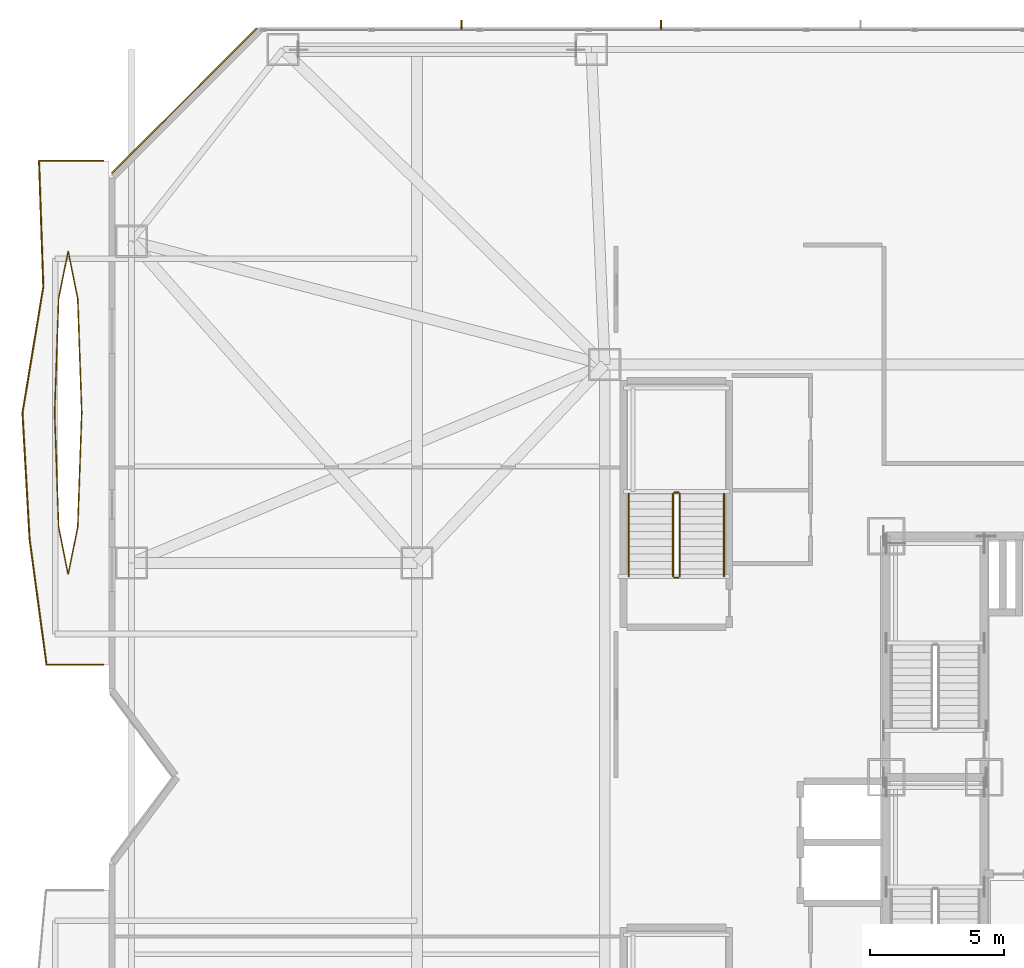
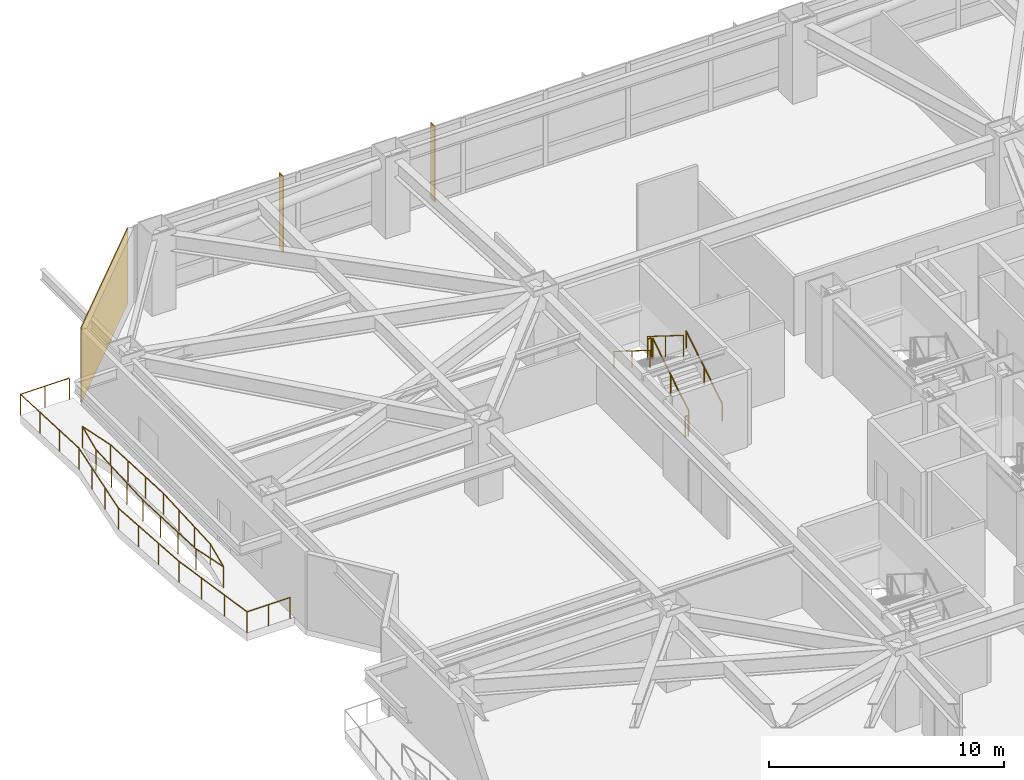
# One storey, part 30 of 32: 10 railings, 2 shading devices, 1 covering.
"""IFC4 building model written with IfcOpenShell, lengths in metres."""

from ifc_helpers import new_model, si_unit, direction, frame, origin, origin_2d, place, context, subcontext, project, spatial, rectangle, circle, extrude, material, layer, layer_set, type_object, element, save


model = new_model("IFC4")

# Units and contexts
model_context = context("Model", 3, precision=1e-05, world=origin(), true_north=direction((0.0, 1.0)))
body_context = subcontext(model_context, "Body", "Model", "MODEL_VIEW")
ifc_project = project(units=[si_unit("LENGTHUNIT", "METRE"), si_unit("AREAUNIT", "SQUARE_METRE"), si_unit("VOLUMEUNIT", "CUBIC_METRE"), si_unit("PLANEANGLEUNIT", "RADIAN"), si_unit("MASSUNIT", "GRAM", prefix="KILO")], contexts=[model_context])

# Site, building, storey
site_placement = place(None, origin())
site = spatial("IfcSite", under=ifc_project, at=site_placement, CompositionType="ELEMENT")
building_placement = place(site_placement, origin())
building = spatial("IfcBuilding", under=site, at=building_placement, Name="Khamvora Tower", CompositionType="ELEMENT")
storey_placement = place(building_placement, frame((0.0, 0.0, 12.0)))
storey = spatial("IfcBuildingStorey", under=building, at=storey_placement, Name="L02", CompositionType="ELEMENT", Elevation=12.0)

# Covering
ifc_material_1 = material(Name="Pale Anodised Aluminium Rainscreen Panel", Category="aluminium")
ifc_layer = layer(ifc_material_1, 0.044921875)
ifc_layer_set = layer_set([ifc_layer], Name="Pale Anodised Aluminium Rainscreen Panel")
covering_type = type_object("IfcCoveringType", Name="COV-CLD-ALU", PredefinedType="CLADDING", material=ifc_layer_set)
covering_placement = place(storey_placement, frame((2.81494140625, 53.239990234375, 0.0), z_axis=(0.0, 0.0, 1.0), x_axis=(0.707106781187, 0.707106781187, 0.0)))
element("IfcCovering", 1, at=covering_placement, inside=storey, type_object=covering_type, Name="L02 chamfer rainscreen cladding 06.1", PredefinedType="CLADDING", context=body_context, shape_type="SweptSolid", body=[
    extrude(rectangle(XDim=7.64306640625, YDim=0.044921875, at=origin_2d()), origin(), (0.0, 0.0, 1.0), 3.919921875),
])

# Railings
ifc_material_2 = material(Name="Stainless Steel 316 and Laminated Glass", Category="steel")
railing_type_1 = type_object("IfcRailingType", Name="RAL-GAL-1120", PredefinedType="GUARDRAIL", material=ifc_material_2)
railing_1_placement = place(storey_placement, frame((-0.199951171875, 32.199951171875, 0.0)))
element("IfcRailing", 2, at=railing_1_placement, inside=storey, type_object=railing_type_1, Name="L02 lens gallery south perimeter guardrail WL2", PredefinedType="GUARDRAIL", context=body_context, shape_type="SweptSolid", body=[
    extrude(circle(Radius=0.02392578125, at=origin_2d()), frame((0.0, 0.0, 1.09619140625), z_axis=(-1.0, 0.0, 0.0), x_axis=(0.0, -1.0, 0.0)), (0.0, 0.0, 1.0), 2.125),
    extrude(circle(Radius=0.02392578125, at=origin_2d()), frame((-2.125, 0.0, 1.09619140625), z_axis=(-0.133488830384, 0.991050317674, 0.0), x_axis=(-0.991050317674, -0.133488830384, 0.0)), (0.0, 0.0, 1.0), 4.742431640625),
    extrude(circle(Radius=0.02392578125, at=origin_2d()), frame((-2.758056640625, 4.699951171875, 1.09619140625), z_axis=(-0.055854908118, 0.998438896097, 0.0), x_axis=(-0.998438896097, -0.055854908118, 0.0)), (0.0, 0.0, 1.0), 4.70751953125),
    extrude(circle(Radius=0.02099609375, at=origin_2d()), origin(), (0.0, 0.0, 1.0), 1.072021484375),
    extrude(circle(Radius=0.02099609375, at=origin_2d()), frame((-1.0625, 0.0, 0.0)), (0.0, 0.0, 1.0), 1.072021484375),
    extrude(circle(Radius=0.02099609375, at=origin_2d()), frame((-2.125, 0.0, 0.0)), (0.0, 0.0, 1.0), 1.072021484375),
    extrude(circle(Radius=0.02099609375, at=origin_2d()), frame((-2.3359375, 1.566650390625, 0.0)), (0.0, 0.0, 1.0), 1.072021484375),
    extrude(circle(Radius=0.02099609375, at=origin_2d()), frame((-2.547119140625, 3.13330078125, 0.0)), (0.0, 0.0, 1.0), 1.072021484375),
    extrude(circle(Radius=0.02099609375, at=origin_2d()), frame((-2.758056640625, 4.699951171875, 0.0)), (0.0, 0.0, 1.0), 1.072021484375),
    extrude(circle(Radius=0.02099609375, at=origin_2d()), frame((-2.845703125, 6.2666015625, 0.0)), (0.0, 0.0, 1.0), 1.072021484375),
    extrude(circle(Radius=0.02099609375, at=origin_2d()), frame((-2.933349609375, 7.83349609375, 0.0)), (0.0, 0.0, 1.0), 1.072021484375),
    extrude(circle(Radius=0.02099609375, at=origin_2d()), frame((-3.02099609375, 9.400146484375, 0.0)), (0.0, 0.0, 1.0), 1.072021484375),
])
railing_2_placement = place(storey_placement, frame((-3.220947265625, 41.60009765625, 0.0)))
element("IfcRailing", 3, at=railing_2_placement, inside=storey, type_object=railing_type_1, Name="L02 lens gallery north perimeter guardrail WL2", PredefinedType="GUARDRAIL", context=body_context, shape_type="SweptSolid", body=[
    extrude(circle(Radius=0.02392578125, at=origin_2d()), frame((0.0, 0.0, 1.09619140625), z_axis=(0.162877863416, 0.986646239343, 0.0), x_axis=(-0.986646239343, 0.162877863416, 0.0)), (0.0, 0.0, 1.0), 4.763671875),
    extrude(circle(Radius=0.02392578125, at=origin_2d()), frame((0.77587890625, 4.699951171875, 1.09619140625), z_axis=(-0.033797106291, 0.99942871462, 0.0), x_axis=(-0.99942871462, -0.033797106291, 0.0)), (0.0, 0.0, 1.0), 4.70263671875),
    extrude(circle(Radius=0.02392578125, at=origin_2d()), frame((0.616943359375, 9.39990234375, 1.09619140625), z_axis=(1.0, 0.0, 0.0), x_axis=(0.0, 1.0, 0.0)), (0.0, 0.0, 1.0), 2.404052734375),
    extrude(circle(Radius=0.02099609375, at=origin_2d()), origin(), (0.0, 0.0, 1.0), 1.072021484375),
    extrude(circle(Radius=0.02099609375, at=origin_2d()), frame((0.258544921875, 1.566650390625, 0.0)), (0.0, 0.0, 1.0), 1.072021484375),
    extrude(circle(Radius=0.02099609375, at=origin_2d()), frame((0.517333984375, 3.13330078125, 0.0)), (0.0, 0.0, 1.0), 1.072021484375),
    extrude(circle(Radius=0.02099609375, at=origin_2d()), frame((0.77587890625, 4.699951171875, 0.0)), (0.0, 0.0, 1.0), 1.072021484375),
    extrude(circle(Radius=0.02099609375, at=origin_2d()), frame((0.722900390625, 6.2666015625, 0.0)), (0.0, 0.0, 1.0), 1.072021484375),
    extrude(circle(Radius=0.02099609375, at=origin_2d()), frame((0.669921875, 7.833251953125, 0.0)), (0.0, 0.0, 1.0), 1.072021484375),
    extrude(circle(Radius=0.02099609375, at=origin_2d()), frame((0.616943359375, 9.39990234375, 0.0)), (0.0, 0.0, 1.0), 1.072021484375),
    extrude(circle(Radius=0.02099609375, at=origin_2d()), frame((1.81884765625, 9.39990234375, 0.0)), (0.0, 0.0, 1.0), 1.072021484375),
    extrude(circle(Radius=0.02099609375, at=origin_2d()), frame((3.02099609375, 9.39990234375, 0.0)), (0.0, 0.0, 1.0), 1.072021484375),
])
railing_3_placement = place(storey_placement, frame((-1.010986328125, 41.60009765625, 0.0)))
element("IfcRailing", 4, at=railing_3_placement, inside=storey, type_object=railing_type_1, Name="L02 lens gallery void guardrail WL2A", PredefinedType="GUARDRAIL", context=body_context, shape_type="SweptSolid", body=[
    extrude(circle(Radius=0.02392578125, at=origin_2d()), frame((0.0, 0.0, 1.09619140625), z_axis=(-0.034758598303, 0.999395737355, 0.0), x_axis=(-0.999395737355, -0.034758598303, 0.0)), (0.0, 0.0, 1.0), 4.256591796875),
    extrude(circle(Radius=0.02392578125, at=origin_2d()), frame((-0.14794921875, 4.25390625, 1.09619140625), z_axis=(-0.198022438185, 0.980197487232, 0.0), x_axis=(-0.980197487232, -0.198022438185, 0.0)), (0.0, 0.0, 1.0), 1.797607421875),
    extrude(circle(Radius=0.02392578125, at=origin_2d()), frame((-0.50390625, 6.015869140625, 1.09619140625), z_axis=(-0.198152924969, -0.98017111686, 0.0), x_axis=(0.98017111686, -0.198152924969, 0.0)), (0.0, 0.0, 1.0), 1.797607421875),
    extrude(circle(Radius=0.02392578125, at=origin_2d()), frame((-0.860107421875, 4.25390625, 1.09619140625), z_axis=(-0.034758598303, -0.999395737355, 0.0), x_axis=(0.999395737355, -0.034758598303, 0.0)), (0.0, 0.0, 1.0), 4.256591796875),
    extrude(circle(Radius=0.02099609375, at=origin_2d()), origin(), (0.0, 0.0, 1.0), 1.072021484375),
    extrude(circle(Radius=0.02099609375, at=origin_2d()), frame((-0.04931640625, 1.41796875, 0.0)), (0.0, 0.0, 1.0), 1.072021484375),
    extrude(circle(Radius=0.02099609375, at=origin_2d()), frame((-0.0986328125, 2.8359375, 0.0)), (0.0, 0.0, 1.0), 1.072021484375),
    extrude(circle(Radius=0.02099609375, at=origin_2d()), frame((-0.14794921875, 4.25390625, 0.0)), (0.0, 0.0, 1.0), 1.072021484375),
    extrude(circle(Radius=0.02099609375, at=origin_2d()), frame((-0.50390625, 6.015869140625, 0.0)), (0.0, 0.0, 1.0), 1.072021484375),
    extrude(circle(Radius=0.02099609375, at=origin_2d()), frame((-0.860107421875, 4.25390625, 0.0)), (0.0, 0.0, 1.0), 1.072021484375),
    extrude(circle(Radius=0.02099609375, at=origin_2d()), frame((-0.909423828125, 2.8359375, 0.0)), (0.0, 0.0, 1.0), 1.072021484375),
    extrude(circle(Radius=0.02099609375, at=origin_2d()), frame((-0.958740234375, 1.41796875, 0.0)), (0.0, 0.0, 1.0), 1.072021484375),
    extrude(circle(Radius=0.02099609375, at=origin_2d()), frame((-1.008056640625, 0.0, 0.0)), (0.0, 0.0, 1.0), 1.072021484375),
])
railing_4_placement = place(storey_placement, frame((-2.01904296875, 41.60009765625, 0.0)))
element("IfcRailing", 5, at=railing_4_placement, inside=storey, type_object=railing_type_1, Name="L02 lens gallery void guardrail WL2B", PredefinedType="GUARDRAIL", context=body_context, shape_type="SweptSolid", body=[
    extrude(circle(Radius=0.02392578125, at=origin_2d()), frame((0.0, 0.0, 1.09619140625), z_axis=(0.034756605959, -0.999395806646, 0.0), x_axis=(0.999395806646, 0.034756605959, 0.0)), (0.0, 0.0, 1.0), 4.2568359375),
    extrude(circle(Radius=0.02392578125, at=origin_2d()), frame((0.14794921875, -4.254150390625, 1.09619140625), z_axis=(0.198152924969, -0.98017111686, 0.0), x_axis=(0.98017111686, 0.198152924969, 0.0)), (0.0, 0.0, 1.0), 1.797607421875),
    extrude(circle(Radius=0.02392578125, at=origin_2d()), frame((0.504150390625, -6.01611328125, 1.09619140625), z_axis=(0.198022438185, 0.980197487232, 0.0), x_axis=(-0.980197487232, 0.198022438185, 0.0)), (0.0, 0.0, 1.0), 1.797607421875),
    extrude(circle(Radius=0.02392578125, at=origin_2d()), frame((0.860107421875, -4.254150390625, 1.09619140625), z_axis=(0.034756605959, 0.999395806646, 0.0), x_axis=(-0.999395806646, 0.034756605959, 0.0)), (0.0, 0.0, 1.0), 4.2568359375),
    extrude(circle(Radius=0.02099609375, at=origin_2d()), origin(), (0.0, 0.0, 1.0), 1.072021484375),
    extrude(circle(Radius=0.02099609375, at=origin_2d()), frame((0.04931640625, -1.41796875, 0.0)), (0.0, 0.0, 1.0), 1.072021484375),
    extrude(circle(Radius=0.02099609375, at=origin_2d()), frame((0.0986328125, -2.836181640625, 0.0)), (0.0, 0.0, 1.0), 1.072021484375),
    extrude(circle(Radius=0.02099609375, at=origin_2d()), frame((0.14794921875, -4.254150390625, 0.0)), (0.0, 0.0, 1.0), 1.072021484375),
    extrude(circle(Radius=0.02099609375, at=origin_2d()), frame((0.504150390625, -6.01611328125, 0.0)), (0.0, 0.0, 1.0), 1.072021484375),
    extrude(circle(Radius=0.02099609375, at=origin_2d()), frame((0.860107421875, -4.254150390625, 0.0)), (0.0, 0.0, 1.0), 1.072021484375),
    extrude(circle(Radius=0.02099609375, at=origin_2d()), frame((0.909423828125, -2.836181640625, 0.0)), (0.0, 0.0, 1.0), 1.072021484375),
    extrude(circle(Radius=0.02099609375, at=origin_2d()), frame((0.958740234375, -1.41796875, 0.0)), (0.0, 0.0, 1.0), 1.072021484375),
    extrude(circle(Radius=0.02099609375, at=origin_2d()), frame((1.008056640625, 0.0, 0.0)), (0.0, 0.0, 1.0), 1.072021484375),
])
ifc_material_3 = material(Name="Brushed Stainless Steel 316", Category="steel")
railing_type_2 = type_object("IfcRailingType", Name="RAL-HDR-920", PredefinedType="HANDRAIL", material=ifc_material_3)
railing_5_placement = place(storey_placement, frame((22.949951171875, 35.5, 0.175048828125)))
element("IfcRailing", 6, at=railing_5_placement, inside=storey, type_object=railing_type_2, Name="L02 ST-04 stair handrail 1", PredefinedType="HANDRAIL", context=body_context, shape_type="SweptSolid", body=[
    extrude(circle(Radius=0.02392578125, at=origin_2d()), frame((0.0, 0.0, 0.8759765625), z_axis=(0.0, 0.847998304005, 0.529998940003), x_axis=(-1.0, 0.0, 0.0)), (0.0, 0.0, 1.0), 3.632080078125),
    extrude(circle(Radius=0.02099609375, at=origin_2d()), origin(), (0.0, 0.0, 1.0), 0.851806640625),
    extrude(circle(Radius=0.02099609375, at=origin_2d()), frame((0.0, 1.5400390625, 0.96240234375)), (0.0, 0.0, 1.0), 0.851806640625),
    extrude(circle(Radius=0.02099609375, at=origin_2d()), frame((0.0, 3.080078125, 1.925048828125)), (0.0, 0.0, 1.0), 0.851806640625),
])
railing_6_placement = place(storey_placement, frame((19.39990234375, 38.580078125, 2.27490234375)))
element("IfcRailing", 7, at=railing_6_placement, inside=storey, type_object=railing_type_2, Name="L02 ST-04 stair handrail 2", PredefinedType="HANDRAIL", context=body_context, shape_type="SweptSolid", body=[
    extrude(circle(Radius=0.02392578125, at=origin_2d()), frame((0.0, 0.0, 0.8759765625), z_axis=(0.0, -0.847998304005, 0.529998940003), x_axis=(1.0, 0.0, 0.0)), (0.0, 0.0, 1.0), 3.632080078125),
    extrude(circle(Radius=0.02099609375, at=origin_2d()), origin(), (0.0, 0.0, 1.0), 0.851806640625),
    extrude(circle(Radius=0.02099609375, at=origin_2d()), frame((0.0, -1.5400390625, 0.96240234375)), (0.0, 0.0, 1.0), 0.851806640625),
    extrude(circle(Radius=0.02099609375, at=origin_2d()), frame((0.0, -3.080078125, 1.925048828125)), (0.0, 0.0, 1.0), 0.851806640625),
])
ifc_material_4 = material(Name="Stainless Steel 316", Category="steel")
railing_type_3 = type_object("IfcRailingType", Name="RAL-STG-1100", PredefinedType="GUARDRAIL", material=ifc_material_4)
railing_7_placement = place(storey_placement, frame((21.300048828125, 35.5, 0.175048828125)))
element("IfcRailing", 8, at=railing_7_placement, inside=storey, type_object=railing_type_3, Name="L02 ST-04 stair guard 1", PredefinedType="GUARDRAIL", context=body_context, shape_type="SweptSolid", body=[
    extrude(circle(Radius=0.02392578125, at=origin_2d()), frame((0.0, 0.0, 1.076171875), z_axis=(0.0, 0.847998304005, 0.529998940003), x_axis=(-1.0, 0.0, 0.0)), (0.0, 0.0, 1.0), 3.632080078125),
    extrude(circle(Radius=0.02099609375, at=origin_2d()), origin(), (0.0, 0.0, 1.0), 1.052001953125),
    extrude(circle(Radius=0.02099609375, at=origin_2d()), frame((0.0, 1.5400390625, 0.96240234375)), (0.0, 0.0, 1.0), 1.052001953125),
    extrude(circle(Radius=0.02099609375, at=origin_2d()), frame((0.0, 3.080078125, 1.925048828125)), (0.0, 0.0, 1.0), 1.052001953125),
])
railing_8_placement = place(storey_placement, frame((21.25, 38.6298828125, 2.10009765625)))
element("IfcRailing", 9, at=railing_8_placement, inside=storey, type_object=railing_type_3, Name="L02 ST-04 stair guard 2", PredefinedType="GUARDRAIL", context=body_context, shape_type="SweptSolid", body=[
    extrude(circle(Radius=0.02392578125, at=origin_2d()), frame((0.0, 0.0, 1.076171875), z_axis=(-1.0, 0.0, 0.0), x_axis=(0.0, -1.0, 0.0)), (0.0, 0.0, 1.0), 0.14990234375),
    extrude(circle(Radius=0.02099609375, at=origin_2d()), origin(), (0.0, 0.0, 1.0), 1.052001953125),
    extrude(circle(Radius=0.02099609375, at=origin_2d()), frame((-0.14990234375, 0.0, 0.0)), (0.0, 0.0, 1.0), 1.052001953125),
])
railing_9_placement = place(storey_placement, frame((21.050048828125, 38.580078125, 2.27490234375)))
element("IfcRailing", 10, at=railing_9_placement, inside=storey, type_object=railing_type_3, Name="L02 ST-04 stair guard 3", PredefinedType="GUARDRAIL", context=body_context, shape_type="SweptSolid", body=[
    extrude(circle(Radius=0.02392578125, at=origin_2d()), frame((0.0, 0.0, 1.076171875), z_axis=(0.0, -0.847998304005, 0.529998940003), x_axis=(1.0, 0.0, 0.0)), (0.0, 0.0, 1.0), 3.632080078125),
    extrude(circle(Radius=0.02099609375, at=origin_2d()), origin(), (0.0, 0.0, 1.0), 1.052001953125),
    extrude(circle(Radius=0.02099609375, at=origin_2d()), frame((0.0, -1.5400390625, 0.96240234375)), (0.0, 0.0, 1.0), 1.052001953125),
    extrude(circle(Radius=0.02099609375, at=origin_2d()), frame((0.0, -3.080078125, 1.925048828125)), (0.0, 0.0, 1.0), 1.052001953125),
])
railing_10_placement = place(storey_placement, frame((21.25, 35.449951171875, 0.0)))
element("IfcRailing", 11, at=railing_10_placement, inside=storey, type_object=railing_type_3, Name="L02 ST-04 stair guard 4", PredefinedType="GUARDRAIL", context=body_context, shape_type="SweptSolid", body=[
    extrude(circle(Radius=0.02392578125, at=origin_2d()), frame((0.0, 0.0, 1.076171875), z_axis=(-1.0, 0.0, 0.0), x_axis=(0.0, -1.0, 0.0)), (0.0, 0.0, 1.0), 0.14990234375),
    extrude(circle(Radius=0.02099609375, at=origin_2d()), origin(), (0.0, 0.0, 1.0), 1.052001953125),
    extrude(circle(Radius=0.02099609375, at=origin_2d()), frame((-0.14990234375, 0.0, 0.0)), (0.0, 0.0, 1.0), 1.052001953125),
])

# Shading devices
ifc_material_5 = material(Name="Anodised Bronze Aluminium 6063-T6", Category="aluminium")
shading_device_type = type_object("IfcShadingDeviceType", Name="SHD-FIN-350", PredefinedType="USERDEFINED", material=ifc_material_5)
for number, where, z_axis, x_axis, name in (
    (12, (13.1640625, 56.077880859375, 0.0), (0.0, 0.0, 1.0), (1.0, 0.0, 0.0), "L02 anodised bronze solar fin 07.01"),
    (13, (20.60107421875, 56.077880859375, 0.0), (0.0, 0.0, 1.0), (1.0, 0.0, 0.0), "L02 anodised bronze solar fin 07.02"),
):
    element("IfcShadingDevice", number, at=place(storey_placement, frame(where, z_axis=z_axis, x_axis=x_axis)), inside=storey, type_object=shading_device_type, Name=name, ObjectType="FIN", PredefinedType="USERDEFINED", context=body_context, shape_type="SweptSolid", body=[
        extrude(rectangle(XDim=0.054931640625, YDim=0.35009765625, at=origin_2d()), origin(), (0.0, 0.0, 1.0), 3.919921875),
    ])

save(model, "model.ifc")
